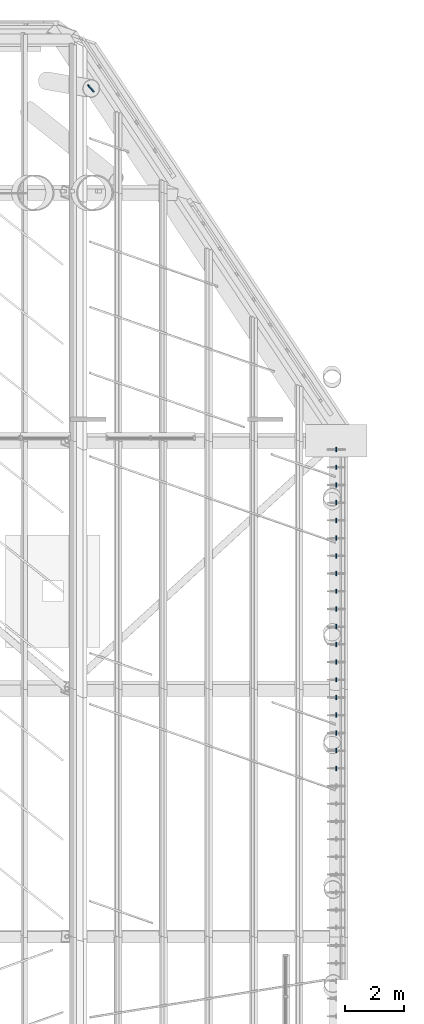
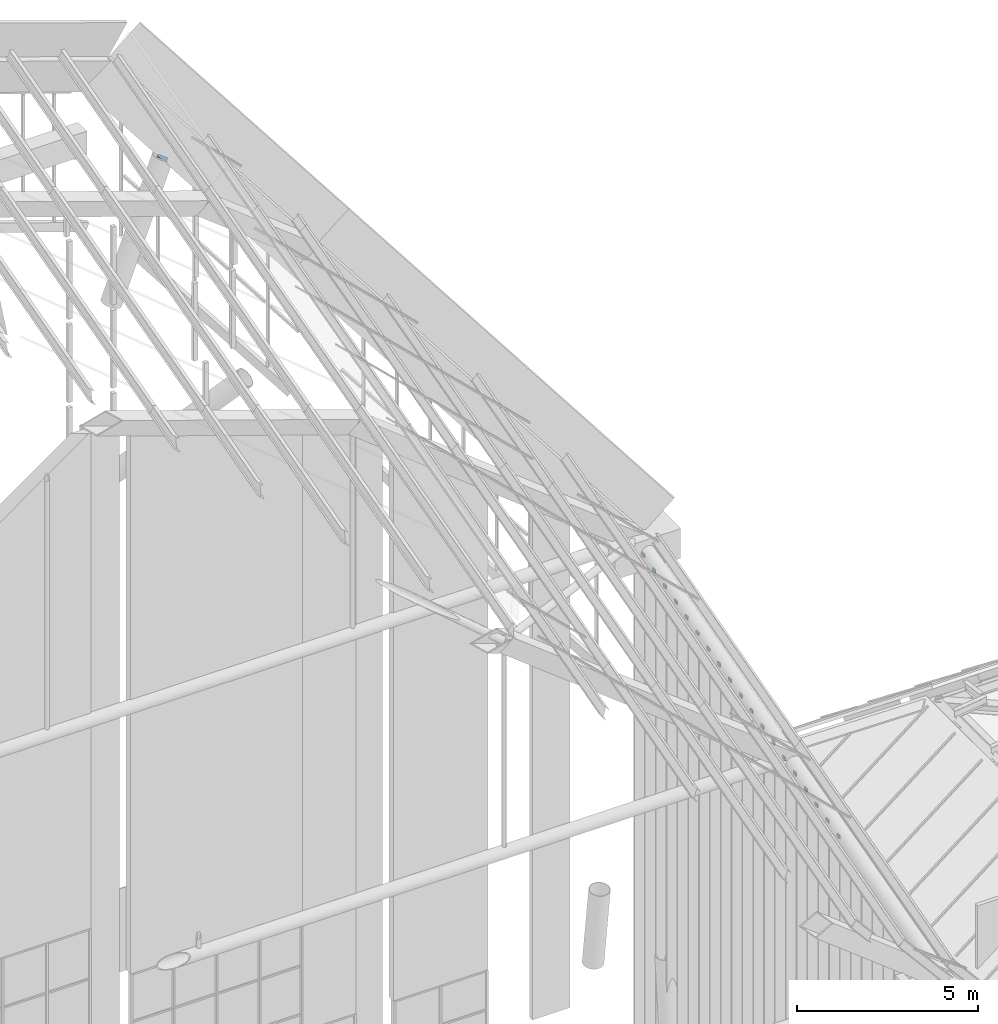
# One storey, part 99 of 126: 20 discrete accessories.
"""IFC4 building model written with IfcOpenShell, lengths in metres."""

from ifc_helpers import new_model, si_unit, direction, frame, origin, origin_2d, place, context, subcontext, project, spatial, rectangle, extrude, material, layer, layer_set, material_profile, profile_set, type_object, element, save


model = new_model("IFC4")

# Units and contexts
model_context = context("Model", 3, precision=1e-05, world=origin(), true_north=direction((0.0, 1.0)))
body_context = subcontext(model_context, "Body", "Model", "MODEL_VIEW")
ifc_project = project(units=[si_unit("LENGTHUNIT", "METRE"), si_unit("AREAUNIT", "SQUARE_METRE"), si_unit("VOLUMEUNIT", "CUBIC_METRE"), si_unit("PLANEANGLEUNIT", "RADIAN"), si_unit("MASSUNIT", "GRAM", prefix="KILO")], contexts=[model_context])

# Site, building, storey
site_placement = place(None, origin())
site = spatial("IfcSite", under=ifc_project, at=site_placement, CompositionType="ELEMENT")
building_placement = place(site_placement, origin())
building = spatial("IfcBuilding", under=site, at=building_placement, Name="Sava Quay Ferry Terminal", CompositionType="ELEMENT")
storey_placement = place(building_placement, frame((0.0, 0.0, 15.0)))
storey = spatial("IfcBuildingStorey", under=building, at=storey_placement, Name="L03", CompositionType="ELEMENT", Elevation=15.0)

# Discrete accessories
ifc_material_1 = material(Name="Steel S355 galvanised", Category="steel")
ifc_layer = layer(ifc_material_1, 0.0400390625)
ifc_layer_set = layer_set([ifc_layer], Name="Steel S355 galvanised")
discrete_accessory_type_1 = type_object("IfcDiscreteAccessoryType", Name="Blade bracket flat 40x150", PredefinedType="BRACKET", material=ifc_layer_set)
for number, where, z_axis, x_axis, name in (
    (1, (84.0, 89.699951171875, 12.23974609375), (0.0, 0.0, 1.0), (1.0, 0.0, 0.0), "Blade bracket D-E 66"),
    (2, (84.0, 90.300048828125, 12.404052734375), (0.0, 0.0, 1.0), (1.0, 0.0, 0.0), "Blade bracket D-E 67"),
    (3, (84.0, 90.89990234375, 12.568115234375), (0.0, 0.0, 1.0), (1.0, 0.0, 0.0), "Blade bracket D-E 68"),
    (4, (84.0, 91.5, 12.732177734375), (0.0, 0.0, 1.0), (1.0, 0.0, 0.0), "Blade bracket D-E 69"),
    (5, (84.0, 92.10009765625, 12.896484375), (0.0, 0.0, 1.0), (1.0, 0.0, 0.0), "Blade bracket D-E 70"),
    (6, (84.0, 92.699951171875, 13.060546875), (0.0, 0.0, 1.0), (1.0, 0.0, 0.0), "Blade bracket D-E 71"),
    (7, (84.0, 93.300048828125, 13.224609375), (0.0, 0.0, 1.0), (1.0, 0.0, 0.0), "Blade bracket D-E 72"),
    (8, (84.0, 93.89990234375, 13.388916015625), (0.0, 0.0, 1.0), (1.0, 0.0, 0.0), "Blade bracket D-E 73"),
    (9, (84.0, 94.5, 13.552978515625), (0.0, 0.0, 1.0), (1.0, 0.0, 0.0), "Blade bracket D-E 74"),
    (10, (84.0, 95.10009765625, 13.717041015625), (0.0, 0.0, 1.0), (1.0, 0.0, 0.0), "Blade bracket D-E 75"),
    (11, (84.0, 95.699951171875, 13.88134765625), (0.0, 0.0, 1.0), (1.0, 0.0, 0.0), "Blade bracket D-E 76"),
    (12, (84.0, 96.300048828125, 14.04541015625), (0.0, 0.0, 1.0), (1.0, 0.0, 0.0), "Blade bracket D-E 77"),
    (13, (84.0, 96.89990234375, 14.20947265625), (0.0, 0.0, 1.0), (1.0, 0.0, 0.0), "Blade bracket D-E 78"),
    (14, (84.0, 97.5, 14.37353515625), (0.0, 0.0, 1.0), (1.0, 0.0, 0.0), "Blade bracket D-E 79"),
    (15, (84.0, 98.10009765625, 14.537841796875), (0.0, 0.0, 1.0), (1.0, 0.0, 0.0), "Blade bracket D-E 80"),
    (16, (84.0, 98.699951171875, 14.701904296875), (0.0, 0.0, 1.0), (1.0, 0.0, 0.0), "Blade bracket D-E 81"),
    (17, (84.0, 99.300048828125, 14.865966796875), (0.0, 0.0, 1.0), (1.0, 0.0, 0.0), "Blade bracket D-E 82"),
    (18, (84.0, 99.89990234375, 15.0302734375), (0.0, 0.0, 1.0), (1.0, 0.0, 0.0), "Blade bracket D-E 83"),
    (19, (84.0, 100.5, 15.1943359375), (0.0, 0.0, 1.0), (1.0, 0.0, 0.0), "Blade bracket D-E 84"),
):
    element("IfcDiscreteAccessory", number, at=place(storey_placement, frame(where, z_axis=z_axis, x_axis=x_axis)), inside=storey, type_object=discrete_accessory_type_1, Name=name, PredefinedType="BRACKET", context=body_context, shape_type="SweptSolid", body=[
        extrude(rectangle(XDim=0.0400390625, YDim=0.14990234375, at=origin_2d()), origin(), (0.0, 0.0, 1.0), 0.1201171875),
    ])
ifc_material_2 = material(Name="Steel S355", Category="steel")
ifc_material_profile = material_profile(ifc_material_2, rectangle(XDim=0.300048828125, YDim=0.030029296875, at=origin_2d()), Name="Plate 300 x 30")
ifc_profile_set = profile_set([ifc_material_profile], Name="Steel S355")
discrete_accessory_type_2 = type_object("IfcDiscreteAccessoryType", Name="Brace gusset plate 30 x 300", PredefinedType="BRACKET", material=ifc_profile_set)
discrete_accessory_placement = place(storey_placement, frame((75.6669921875, 112.73876953125, 24.138427734375), z_axis=(0.309802901157, -0.054525310604, 0.949236089146), x_axis=(0.63886763871, -0.727462047396, -0.250294046688)))
element("IfcDiscreteAccessory", 20, at=discrete_accessory_placement, inside=storey, type_object=discrete_accessory_type_2, Name="Departure hall prow knee brace R2 gusset plate", PredefinedType="BRACKET", context=body_context, shape_type="SweptSolid", body=[
    extrude(rectangle(XDim=0.300048828125, YDim=0.030029296875, at=origin_2d()), origin(), (0.0, 0.0, 1.0), 0.098388671875),
])

save(model, "model.ifc")
